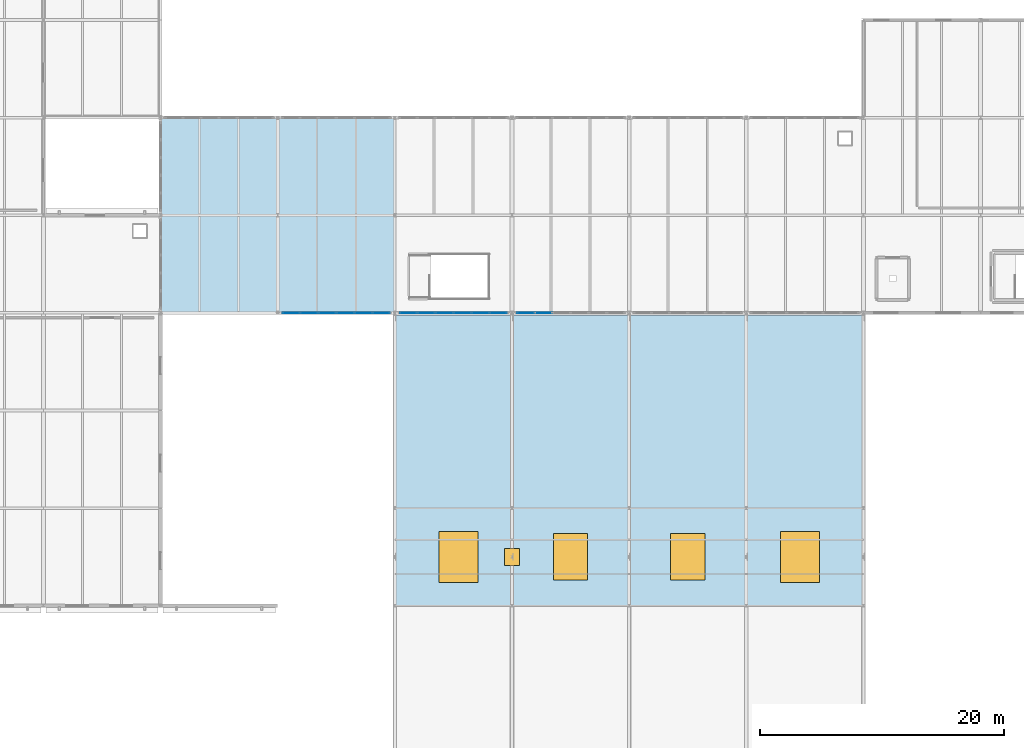
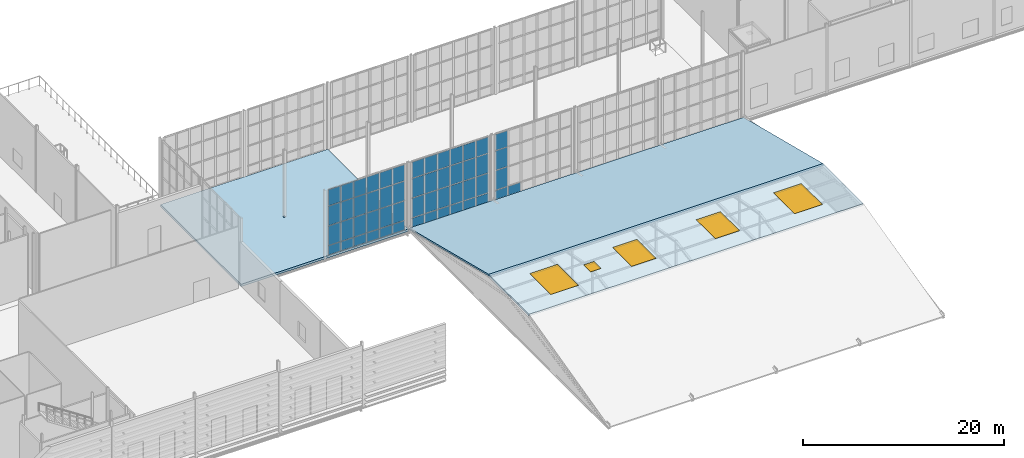
# One storey, part 51 of 73: 53 plates, 5 windows, 3 slabs, 5 openings, 3 elements without a shape of their own.
"""IFC4 building model written with IfcOpenShell, lengths in metres."""

from ifc_helpers import new_model, si_unit, direction, frame, origin, origin_2d, place, context, subcontext, project, spatial, polyline, rectangle, outline, extrude, material, layer, layer_set, type_object, element, fill, aggregate, save


model = new_model("IFC4")

# Units and contexts
model_context = context("Model", 3, precision=1e-05, world=origin(), true_north=direction((0.0, 1.0)))
body_context = subcontext(model_context, "Body", "Model", "MODEL_VIEW")
ifc_project = project(units=[si_unit("LENGTHUNIT", "METRE"), si_unit("AREAUNIT", "SQUARE_METRE"), si_unit("VOLUMEUNIT", "CUBIC_METRE"), si_unit("PLANEANGLEUNIT", "RADIAN"), si_unit("MASSUNIT", "GRAM", prefix="KILO")], contexts=[model_context])

# Site, building, storey
site_placement = place(None, origin())
site = spatial("IfcSite", under=ifc_project, at=site_placement, CompositionType="ELEMENT")
building_placement = place(site_placement, origin())
building = spatial("IfcBuilding", under=site, at=building_placement, Name="Alderhovde Museum", CompositionType="ELEMENT")
storey_placement = place(building_placement, frame((0.0, 0.0, 17.39990234375)))
storey = spatial("IfcBuildingStorey", under=building, at=storey_placement, Name="L04", CompositionType="ELEMENT", Elevation=17.39990234375)

# Curtain wall, plates
ifc_material_1 = material(Name="Triple-Glazed Bronze-Anodised Curtain Wall", Category="glass")
ifc_layer_1 = layer(ifc_material_1, 0.219970703125)
ifc_layer_set_1 = layer_set([ifc_layer_1], Name="Triple-Glazed Bronze-Anodised Curtain Wall")
curtain_wall_type_1 = type_object("IfcCurtainWallType", Name="CW-STIC-890x805", PredefinedType="USERDEFINED", material=ifc_layer_set_1)
curtain_wall_1_placement = place(storey_placement, origin())
curtain_wall_1 = element("IfcCurtainWall", 1, at=curtain_wall_1_placement, inside=storey, type_object=curtain_wall_type_1, Name="L04 Stick Curtain Wall 80", ObjectType="STICK CURTAIN WALL", PredefinedType="USERDEFINED")
ifc_material_2 = material(Name="Triple-Glazed Low-E Laminated Glass", Category="glass")
ifc_layer_2 = layer(ifc_material_2, 0.028076171875)
ifc_layer_set_2 = layer_set([ifc_layer_2], Name="Triple-Glazed Low-E Laminated Glass")
plate_type_1 = type_object("IfcPlateType", Name="CWP-GLAZ-28", PredefinedType="CURTAIN_PANEL", material=ifc_layer_set_2)
plate_1_placement = place(storey_placement, frame((68.310302734375, 72.0, 0.0751953125), z_axis=(0.0, 0.0, 1.0), x_axis=(1.0, 0.0, 0.0)))
plate_1 = element("IfcPlate", 2, at=plate_1_placement, type_object=plate_type_1, Name="CW22 panel 1.1", PredefinedType="CURTAIN_PANEL", context=body_context, shape_type="SweptSolid", body=[
    extrude(rectangle(XDim=1.370849609375, YDim=0.028076171875, at=origin_2d()), origin(), (0.0, 0.0, 1.0), 1.08740234375),
])
plate_2_placement = place(storey_placement, frame((68.310302734375, 72.0, 1.23779296875), z_axis=(0.0, 0.0, 1.0), x_axis=(1.0, 0.0, 0.0)))
plate_2 = element("IfcPlate", 3, at=plate_2_placement, type_object=plate_type_1, Name="CW22 panel 1.2", PredefinedType="CURTAIN_PANEL", context=body_context, shape_type="SweptSolid", body=[
    extrude(rectangle(XDim=1.370849609375, YDim=0.028076171875, at=origin_2d()), origin(), (0.0, 0.0, 1.0), 2.324951171875),
])
plate_3_placement = place(storey_placement, frame((68.310302734375, 72.0, 3.6376953125), z_axis=(0.0, 0.0, 1.0), x_axis=(1.0, 0.0, 0.0)))
plate_3 = element("IfcPlate", 4, at=plate_3_placement, type_object=plate_type_1, Name="CW22 panel 1.3", PredefinedType="CURTAIN_PANEL", context=body_context, shape_type="SweptSolid", body=[
    extrude(rectangle(XDim=1.370849609375, YDim=0.028076171875, at=origin_2d()), origin(), (0.0, 0.0, 1.0), 2.324951171875),
])
plate_4_placement = place(storey_placement, frame((68.310302734375, 72.0, 6.03759765625), z_axis=(0.0, 0.0, 1.0), x_axis=(1.0, 0.0, 0.0)))
plate_4 = element("IfcPlate", 5, at=plate_4_placement, type_object=plate_type_1, Name="CW22 panel 1.4", PredefinedType="CURTAIN_PANEL", context=body_context, shape_type="SweptSolid", body=[
    extrude(rectangle(XDim=1.370849609375, YDim=0.028076171875, at=origin_2d()), origin(), (0.0, 0.0, 1.0), 1.9375),
])
plate_5_placement = place(storey_placement, frame((69.77490234375, 72.0, 0.0751953125), z_axis=(0.0, 0.0, 1.0), x_axis=(1.0, 0.0, 0.0)))
plate_5 = element("IfcPlate", 6, at=plate_5_placement, type_object=plate_type_1, Name="CW22 panel 2.1", PredefinedType="CURTAIN_PANEL", context=body_context, shape_type="SweptSolid", body=[
    extrude(rectangle(XDim=1.408447265625, YDim=0.028076171875, at=origin_2d()), origin(), (0.0, 0.0, 1.0), 1.08740234375),
])
plate_6_placement = place(storey_placement, frame((69.77490234375, 72.0, 1.23779296875), z_axis=(0.0, 0.0, 1.0), x_axis=(1.0, 0.0, 0.0)))
plate_6 = element("IfcPlate", 7, at=plate_6_placement, type_object=plate_type_1, Name="CW22 panel 2.2", PredefinedType="CURTAIN_PANEL", context=body_context, shape_type="SweptSolid", body=[
    extrude(rectangle(XDim=1.408447265625, YDim=0.028076171875, at=origin_2d()), origin(), (0.0, 0.0, 1.0), 2.324951171875),
])
plate_7_placement = place(storey_placement, frame((69.77490234375, 72.0, 3.6376953125), z_axis=(0.0, 0.0, 1.0), x_axis=(1.0, 0.0, 0.0)))
plate_7 = element("IfcPlate", 8, at=plate_7_placement, type_object=plate_type_1, Name="CW22 panel 2.3", PredefinedType="CURTAIN_PANEL", context=body_context, shape_type="SweptSolid", body=[
    extrude(rectangle(XDim=1.408447265625, YDim=0.028076171875, at=origin_2d()), origin(), (0.0, 0.0, 1.0), 2.324951171875),
])
plate_8_placement = place(storey_placement, frame((69.77490234375, 72.0, 6.03759765625), z_axis=(0.0, 0.0, 1.0), x_axis=(1.0, 0.0, 0.0)))
plate_8 = element("IfcPlate", 9, at=plate_8_placement, type_object=plate_type_1, Name="CW22 panel 2.4", PredefinedType="CURTAIN_PANEL", context=body_context, shape_type="SweptSolid", body=[
    extrude(rectangle(XDim=1.408447265625, YDim=0.028076171875, at=origin_2d()), origin(), (0.0, 0.0, 1.0), 1.9375),
])
plate_9_placement = place(storey_placement, frame((71.25830078125, 72.0, 0.0751953125), z_axis=(0.0, 0.0, 1.0), x_axis=(1.0, 0.0, 0.0)))
plate_9 = element("IfcPlate", 10, at=plate_9_placement, type_object=plate_type_1, Name="CW22 panel 3.1", PredefinedType="CURTAIN_PANEL", context=body_context, shape_type="SweptSolid", body=[
    extrude(rectangle(XDim=1.408447265625, YDim=0.028076171875, at=origin_2d()), origin(), (0.0, 0.0, 1.0), 1.08740234375),
])
plate_10_placement = place(storey_placement, frame((71.25830078125, 72.0, 1.23779296875), z_axis=(0.0, 0.0, 1.0), x_axis=(1.0, 0.0, 0.0)))
plate_10 = element("IfcPlate", 11, at=plate_10_placement, type_object=plate_type_1, Name="CW22 panel 3.2", PredefinedType="CURTAIN_PANEL", context=body_context, shape_type="SweptSolid", body=[
    extrude(rectangle(XDim=1.408447265625, YDim=0.028076171875, at=origin_2d()), origin(), (0.0, 0.0, 1.0), 2.324951171875),
])
plate_11_placement = place(storey_placement, frame((71.25830078125, 72.0, 3.6376953125), z_axis=(0.0, 0.0, 1.0), x_axis=(1.0, 0.0, 0.0)))
plate_11 = element("IfcPlate", 12, at=plate_11_placement, type_object=plate_type_1, Name="CW22 panel 3.3", PredefinedType="CURTAIN_PANEL", context=body_context, shape_type="SweptSolid", body=[
    extrude(rectangle(XDim=1.408447265625, YDim=0.028076171875, at=origin_2d()), origin(), (0.0, 0.0, 1.0), 2.324951171875),
])
plate_12_placement = place(storey_placement, frame((71.25830078125, 72.0, 6.03759765625), z_axis=(0.0, 0.0, 1.0), x_axis=(1.0, 0.0, 0.0)))
plate_12 = element("IfcPlate", 13, at=plate_12_placement, type_object=plate_type_1, Name="CW22 panel 3.4", PredefinedType="CURTAIN_PANEL", context=body_context, shape_type="SweptSolid", body=[
    extrude(rectangle(XDim=1.408447265625, YDim=0.028076171875, at=origin_2d()), origin(), (0.0, 0.0, 1.0), 1.9375),
])
plate_13_placement = place(storey_placement, frame((72.74169921875, 72.0, 0.0751953125), z_axis=(0.0, 0.0, 1.0), x_axis=(1.0, 0.0, 0.0)))
plate_13 = element("IfcPlate", 14, at=plate_13_placement, type_object=plate_type_1, Name="CW22 panel 4.1", PredefinedType="CURTAIN_PANEL", context=body_context, shape_type="SweptSolid", body=[
    extrude(rectangle(XDim=1.408447265625, YDim=0.028076171875, at=origin_2d()), origin(), (0.0, 0.0, 1.0), 1.08740234375),
])
plate_14_placement = place(storey_placement, frame((72.74169921875, 72.0, 1.23779296875), z_axis=(0.0, 0.0, 1.0), x_axis=(1.0, 0.0, 0.0)))
plate_14 = element("IfcPlate", 15, at=plate_14_placement, type_object=plate_type_1, Name="CW22 panel 4.2", PredefinedType="CURTAIN_PANEL", context=body_context, shape_type="SweptSolid", body=[
    extrude(rectangle(XDim=1.408447265625, YDim=0.028076171875, at=origin_2d()), origin(), (0.0, 0.0, 1.0), 2.324951171875),
])
plate_15_placement = place(storey_placement, frame((72.74169921875, 72.0, 3.6376953125), z_axis=(0.0, 0.0, 1.0), x_axis=(1.0, 0.0, 0.0)))
plate_15 = element("IfcPlate", 16, at=plate_15_placement, type_object=plate_type_1, Name="CW22 panel 4.3", PredefinedType="CURTAIN_PANEL", context=body_context, shape_type="SweptSolid", body=[
    extrude(rectangle(XDim=1.408447265625, YDim=0.028076171875, at=origin_2d()), origin(), (0.0, 0.0, 1.0), 2.324951171875),
])
plate_16_placement = place(storey_placement, frame((72.74169921875, 72.0, 6.03759765625), z_axis=(0.0, 0.0, 1.0), x_axis=(1.0, 0.0, 0.0)))
plate_16 = element("IfcPlate", 17, at=plate_16_placement, type_object=plate_type_1, Name="CW22 panel 4.4", PredefinedType="CURTAIN_PANEL", context=body_context, shape_type="SweptSolid", body=[
    extrude(rectangle(XDim=1.408447265625, YDim=0.028076171875, at=origin_2d()), origin(), (0.0, 0.0, 1.0), 1.9375),
])
plate_17_placement = place(storey_placement, frame((74.22509765625, 72.0, 0.0751953125), z_axis=(0.0, 0.0, 1.0), x_axis=(1.0, 0.0, 0.0)))
plate_17 = element("IfcPlate", 18, at=plate_17_placement, type_object=plate_type_1, Name="CW22 panel 5.1", PredefinedType="CURTAIN_PANEL", context=body_context, shape_type="SweptSolid", body=[
    extrude(rectangle(XDim=1.408447265625, YDim=0.028076171875, at=origin_2d()), origin(), (0.0, 0.0, 1.0), 1.08740234375),
])
plate_18_placement = place(storey_placement, frame((74.22509765625, 72.0, 1.23779296875), z_axis=(0.0, 0.0, 1.0), x_axis=(1.0, 0.0, 0.0)))
plate_18 = element("IfcPlate", 19, at=plate_18_placement, type_object=plate_type_1, Name="CW22 panel 5.2", PredefinedType="CURTAIN_PANEL", context=body_context, shape_type="SweptSolid", body=[
    extrude(rectangle(XDim=1.408447265625, YDim=0.028076171875, at=origin_2d()), origin(), (0.0, 0.0, 1.0), 2.324951171875),
])
plate_19_placement = place(storey_placement, frame((74.22509765625, 72.0, 3.6376953125), z_axis=(0.0, 0.0, 1.0), x_axis=(1.0, 0.0, 0.0)))
plate_19 = element("IfcPlate", 20, at=plate_19_placement, type_object=plate_type_1, Name="CW22 panel 5.3", PredefinedType="CURTAIN_PANEL", context=body_context, shape_type="SweptSolid", body=[
    extrude(rectangle(XDim=1.408447265625, YDim=0.028076171875, at=origin_2d()), origin(), (0.0, 0.0, 1.0), 2.324951171875),
])
plate_20_placement = place(storey_placement, frame((74.22509765625, 72.0, 6.03759765625), z_axis=(0.0, 0.0, 1.0), x_axis=(1.0, 0.0, 0.0)))
plate_20 = element("IfcPlate", 21, at=plate_20_placement, type_object=plate_type_1, Name="CW22 panel 5.4", PredefinedType="CURTAIN_PANEL", context=body_context, shape_type="SweptSolid", body=[
    extrude(rectangle(XDim=1.408447265625, YDim=0.028076171875, at=origin_2d()), origin(), (0.0, 0.0, 1.0), 1.9375),
])
plate_21_placement = place(storey_placement, frame((75.689697265625, 72.0, 0.0751953125), z_axis=(0.0, 0.0, 1.0), x_axis=(1.0, 0.0, 0.0)))
plate_21 = element("IfcPlate", 22, at=plate_21_placement, type_object=plate_type_1, Name="CW22 panel 6.1", PredefinedType="CURTAIN_PANEL", context=body_context, shape_type="SweptSolid", body=[
    extrude(rectangle(XDim=1.370849609375, YDim=0.028076171875, at=origin_2d()), origin(), (0.0, 0.0, 1.0), 1.08740234375),
])
plate_22_placement = place(storey_placement, frame((75.689697265625, 72.0, 1.23779296875), z_axis=(0.0, 0.0, 1.0), x_axis=(1.0, 0.0, 0.0)))
plate_22 = element("IfcPlate", 23, at=plate_22_placement, type_object=plate_type_1, Name="CW22 panel 6.2", PredefinedType="CURTAIN_PANEL", context=body_context, shape_type="SweptSolid", body=[
    extrude(rectangle(XDim=1.370849609375, YDim=0.028076171875, at=origin_2d()), origin(), (0.0, 0.0, 1.0), 2.324951171875),
])
plate_23_placement = place(storey_placement, frame((75.689697265625, 72.0, 3.6376953125), z_axis=(0.0, 0.0, 1.0), x_axis=(1.0, 0.0, 0.0)))
plate_23 = element("IfcPlate", 24, at=plate_23_placement, type_object=plate_type_1, Name="CW22 panel 6.3", PredefinedType="CURTAIN_PANEL", context=body_context, shape_type="SweptSolid", body=[
    extrude(rectangle(XDim=1.370849609375, YDim=0.028076171875, at=origin_2d()), origin(), (0.0, 0.0, 1.0), 2.324951171875),
])
plate_24_placement = place(storey_placement, frame((75.689697265625, 72.0, 6.03759765625), z_axis=(0.0, 0.0, 1.0), x_axis=(1.0, 0.0, 0.0)))
plate_24 = element("IfcPlate", 25, at=plate_24_placement, type_object=plate_type_1, Name="CW22 panel 6.4", PredefinedType="CURTAIN_PANEL", context=body_context, shape_type="SweptSolid", body=[
    extrude(rectangle(XDim=1.370849609375, YDim=0.028076171875, at=origin_2d()), origin(), (0.0, 0.0, 1.0), 1.9375),
])
aggregate(curtain_wall_1, [plate_1, plate_2, plate_3, plate_4, plate_5, plate_6, plate_7, plate_8, plate_9, plate_10, plate_11, plate_12, plate_13, plate_14, plate_15, plate_16, plate_17, plate_18, plate_19, plate_20, plate_21, plate_22, plate_23, plate_24])

ifc_material_3 = material(Name="Triple-Glazed Bronze-Anodised Curtain Wall", Category="glass")
ifc_layer_3 = layer(ifc_material_3, 0.219970703125)
ifc_layer_set_3 = layer_set([ifc_layer_3], Name="Triple-Glazed Bronze-Anodised Curtain Wall")
curtain_wall_type_2 = type_object("IfcCurtainWallType", Name="CW-UNIT-890x805", PredefinedType="USERDEFINED", material=ifc_layer_set_3)
curtain_wall_2_placement = place(storey_placement, origin())
curtain_wall_2 = element("IfcCurtainWall", 26, at=curtain_wall_2_placement, inside=storey, type_object=curtain_wall_type_2, Name="L04 Unitised Curtain Wall 84", ObjectType="UNITISED CURTAIN WALL", PredefinedType="USERDEFINED")
plate_25_placement = place(storey_placement, frame((87.510498046875, 72.0, 0.0751953125), z_axis=(0.0, 0.0, 1.0), x_axis=(1.0, 0.0, 0.0)))
plate_25 = element("IfcPlate", 27, at=plate_25_placement, type_object=plate_type_1, Name="CW21 panel 1.1", PredefinedType="CURTAIN_PANEL", context=body_context, shape_type="SweptSolid", body=[
    extrude(rectangle(XDim=1.370849609375, YDim=0.028076171875, at=origin_2d()), origin(), (0.0, 0.0, 1.0), 1.08740234375),
])
plate_26_placement = place(storey_placement, frame((87.510498046875, 72.0, 1.23779296875), z_axis=(0.0, 0.0, 1.0), x_axis=(1.0, 0.0, 0.0)))
plate_26 = element("IfcPlate", 28, at=plate_26_placement, type_object=plate_type_1, Name="CW21 panel 1.2", PredefinedType="CURTAIN_PANEL", context=body_context, shape_type="SweptSolid", body=[
    extrude(rectangle(XDim=1.370849609375, YDim=0.028076171875, at=origin_2d()), origin(), (0.0, 0.0, 1.0), 2.324951171875),
])
plate_27_placement = place(storey_placement, frame((87.510498046875, 72.0, 3.6376953125), z_axis=(0.0, 0.0, 1.0), x_axis=(1.0, 0.0, 0.0)))
plate_27 = element("IfcPlate", 29, at=plate_27_placement, type_object=plate_type_1, Name="CW21 panel 1.3", PredefinedType="CURTAIN_PANEL", context=body_context, shape_type="SweptSolid", body=[
    extrude(rectangle(XDim=1.370849609375, YDim=0.028076171875, at=origin_2d()), origin(), (0.0, 0.0, 1.0), 2.324951171875),
])
plate_28_placement = place(storey_placement, frame((87.510498046875, 72.0, 6.03759765625), z_axis=(0.0, 0.0, 1.0), x_axis=(1.0, 0.0, 0.0)))
plate_28 = element("IfcPlate", 30, at=plate_28_placement, type_object=plate_type_1, Name="CW21 panel 1.4", PredefinedType="CURTAIN_PANEL", context=body_context, shape_type="SweptSolid", body=[
    extrude(rectangle(XDim=1.370849609375, YDim=0.028076171875, at=origin_2d()), origin(), (0.0, 0.0, 1.0), 1.9375),
])
plate_29_placement = place(storey_placement, frame((88.97509765625, 72.0, 0.0751953125), z_axis=(0.0, 0.0, 1.0), x_axis=(1.0, 0.0, 0.0)))
plate_29 = element("IfcPlate", 31, at=plate_29_placement, type_object=plate_type_1, Name="CW21 panel 2.1", PredefinedType="CURTAIN_PANEL", context=body_context, shape_type="SweptSolid", body=[
    extrude(rectangle(XDim=1.408447265625, YDim=0.028076171875, at=origin_2d()), origin(), (0.0, 0.0, 1.0), 1.08740234375),
])
aggregate(curtain_wall_2, [plate_25, plate_26, plate_27, plate_28, plate_29])

curtain_wall_3_placement = place(storey_placement, origin())
curtain_wall_3 = element("IfcCurtainWall", 32, at=curtain_wall_3_placement, inside=storey, type_object=curtain_wall_type_2, Name="L04 Unitised Curtain Wall 82", ObjectType="UNITISED CURTAIN WALL", PredefinedType="USERDEFINED")
ifc_material_4 = material(Name="Triple-Glazed Low-E Laminated Glass", Category="glass")
ifc_layer_4 = layer(ifc_material_4, 0.0439453125)
ifc_layer_set_4 = layer_set([ifc_layer_4], Name="Triple-Glazed Low-E Laminated Glass")
plate_type_2 = type_object("IfcPlateType", Name="CWP-GLAZ-44", PredefinedType="CURTAIN_PANEL", material=ifc_layer_set_4)
plate_30_placement = place(storey_placement, frame((77.910400390625, 72.0, 0.0751953125), z_axis=(0.0, 0.0, 1.0), x_axis=(1.0, 0.0, 0.0)))
plate_30 = element("IfcPlate", 33, at=plate_30_placement, type_object=plate_type_2, Name="CW21 panel 1.1", PredefinedType="CURTAIN_PANEL", context=body_context, shape_type="SweptSolid", body=[
    extrude(rectangle(XDim=1.370849609375, YDim=0.0439453125, at=origin_2d()), origin(), (0.0, 0.0, 1.0), 1.08740234375),
])
plate_31_placement = place(storey_placement, frame((77.910400390625, 72.0, 1.23779296875), z_axis=(0.0, 0.0, 1.0), x_axis=(1.0, 0.0, 0.0)))
plate_31 = element("IfcPlate", 34, at=plate_31_placement, type_object=plate_type_2, Name="CW21 panel 1.2", PredefinedType="CURTAIN_PANEL", context=body_context, shape_type="SweptSolid", body=[
    extrude(rectangle(XDim=1.370849609375, YDim=0.0439453125, at=origin_2d()), origin(), (0.0, 0.0, 1.0), 2.324951171875),
])
plate_32_placement = place(storey_placement, frame((77.910400390625, 72.0, 3.6376953125), z_axis=(0.0, 0.0, 1.0), x_axis=(1.0, 0.0, 0.0)))
plate_32 = element("IfcPlate", 35, at=plate_32_placement, type_object=plate_type_2, Name="CW21 panel 1.3", PredefinedType="CURTAIN_PANEL", context=body_context, shape_type="SweptSolid", body=[
    extrude(rectangle(XDim=1.370849609375, YDim=0.0439453125, at=origin_2d()), origin(), (0.0, 0.0, 1.0), 2.324951171875),
])
plate_33_placement = place(storey_placement, frame((77.910400390625, 72.0, 6.03759765625), z_axis=(0.0, 0.0, 1.0), x_axis=(1.0, 0.0, 0.0)))
plate_33 = element("IfcPlate", 36, at=plate_33_placement, type_object=plate_type_2, Name="CW21 panel 1.4", PredefinedType="CURTAIN_PANEL", context=body_context, shape_type="SweptSolid", body=[
    extrude(rectangle(XDim=1.370849609375, YDim=0.0439453125, at=origin_2d()), origin(), (0.0, 0.0, 1.0), 1.9375),
])
plate_34_placement = place(storey_placement, frame((79.375, 72.0, 0.0751953125), z_axis=(0.0, 0.0, 1.0), x_axis=(1.0, 0.0, 0.0)))
plate_34 = element("IfcPlate", 37, at=plate_34_placement, type_object=plate_type_2, Name="CW21 panel 2.1", PredefinedType="CURTAIN_PANEL", context=body_context, shape_type="SweptSolid", body=[
    extrude(rectangle(XDim=1.408447265625, YDim=0.0439453125, at=origin_2d()), origin(), (0.0, 0.0, 1.0), 1.08740234375),
])
plate_35_placement = place(storey_placement, frame((79.375, 72.0, 1.23779296875), z_axis=(0.0, 0.0, 1.0), x_axis=(1.0, 0.0, 0.0)))
plate_35 = element("IfcPlate", 38, at=plate_35_placement, type_object=plate_type_2, Name="CW21 panel 2.2", PredefinedType="CURTAIN_PANEL", context=body_context, shape_type="SweptSolid", body=[
    extrude(rectangle(XDim=1.408447265625, YDim=0.0439453125, at=origin_2d()), origin(), (0.0, 0.0, 1.0), 2.324951171875),
])
plate_36_placement = place(storey_placement, frame((79.375, 72.0, 3.6376953125), z_axis=(0.0, 0.0, 1.0), x_axis=(1.0, 0.0, 0.0)))
plate_36 = element("IfcPlate", 39, at=plate_36_placement, type_object=plate_type_2, Name="CW21 panel 2.3", PredefinedType="CURTAIN_PANEL", context=body_context, shape_type="SweptSolid", body=[
    extrude(rectangle(XDim=1.408447265625, YDim=0.0439453125, at=origin_2d()), origin(), (0.0, 0.0, 1.0), 2.324951171875),
])
plate_37_placement = place(storey_placement, frame((79.375, 72.0, 6.03759765625), z_axis=(0.0, 0.0, 1.0), x_axis=(1.0, 0.0, 0.0)))
plate_37 = element("IfcPlate", 40, at=plate_37_placement, type_object=plate_type_2, Name="CW21 panel 2.4", PredefinedType="CURTAIN_PANEL", context=body_context, shape_type="SweptSolid", body=[
    extrude(rectangle(XDim=1.408447265625, YDim=0.0439453125, at=origin_2d()), origin(), (0.0, 0.0, 1.0), 1.9375),
])
plate_38_placement = place(storey_placement, frame((80.8583984375, 72.0, 0.0751953125), z_axis=(0.0, 0.0, 1.0), x_axis=(1.0, 0.0, 0.0)))
plate_38 = element("IfcPlate", 41, at=plate_38_placement, type_object=plate_type_2, Name="CW21 panel 3.1", PredefinedType="CURTAIN_PANEL", context=body_context, shape_type="SweptSolid", body=[
    extrude(rectangle(XDim=1.408447265625, YDim=0.0439453125, at=origin_2d()), origin(), (0.0, 0.0, 1.0), 1.08740234375),
])
plate_39_placement = place(storey_placement, frame((80.8583984375, 72.0, 1.23779296875), z_axis=(0.0, 0.0, 1.0), x_axis=(1.0, 0.0, 0.0)))
plate_39 = element("IfcPlate", 42, at=plate_39_placement, type_object=plate_type_2, Name="CW21 panel 3.2", PredefinedType="CURTAIN_PANEL", context=body_context, shape_type="SweptSolid", body=[
    extrude(rectangle(XDim=1.408447265625, YDim=0.0439453125, at=origin_2d()), origin(), (0.0, 0.0, 1.0), 2.324951171875),
])
plate_40_placement = place(storey_placement, frame((80.8583984375, 72.0, 3.6376953125), z_axis=(0.0, 0.0, 1.0), x_axis=(1.0, 0.0, 0.0)))
plate_40 = element("IfcPlate", 43, at=plate_40_placement, type_object=plate_type_2, Name="CW21 panel 3.3", PredefinedType="CURTAIN_PANEL", context=body_context, shape_type="SweptSolid", body=[
    extrude(rectangle(XDim=1.408447265625, YDim=0.0439453125, at=origin_2d()), origin(), (0.0, 0.0, 1.0), 2.324951171875),
])
plate_41_placement = place(storey_placement, frame((80.8583984375, 72.0, 6.03759765625), z_axis=(0.0, 0.0, 1.0), x_axis=(1.0, 0.0, 0.0)))
plate_41 = element("IfcPlate", 44, at=plate_41_placement, type_object=plate_type_2, Name="CW21 panel 3.4", PredefinedType="CURTAIN_PANEL", context=body_context, shape_type="SweptSolid", body=[
    extrude(rectangle(XDim=1.408447265625, YDim=0.0439453125, at=origin_2d()), origin(), (0.0, 0.0, 1.0), 1.9375),
])
plate_42_placement = place(storey_placement, frame((82.341552734375, 72.0, 0.0751953125), z_axis=(0.0, 0.0, 1.0), x_axis=(1.0, 0.0, 0.0)))
plate_42 = element("IfcPlate", 45, at=plate_42_placement, type_object=plate_type_2, Name="CW21 panel 4.1", PredefinedType="CURTAIN_PANEL", context=body_context, shape_type="SweptSolid", body=[
    extrude(rectangle(XDim=1.408447265625, YDim=0.0439453125, at=origin_2d()), origin(), (0.0, 0.0, 1.0), 1.08740234375),
])
plate_43_placement = place(storey_placement, frame((82.341552734375, 72.0, 1.23779296875), z_axis=(0.0, 0.0, 1.0), x_axis=(1.0, 0.0, 0.0)))
plate_43 = element("IfcPlate", 46, at=plate_43_placement, type_object=plate_type_2, Name="CW21 panel 4.2", PredefinedType="CURTAIN_PANEL", context=body_context, shape_type="SweptSolid", body=[
    extrude(rectangle(XDim=1.408447265625, YDim=0.0439453125, at=origin_2d()), origin(), (0.0, 0.0, 1.0), 2.324951171875),
])
plate_44_placement = place(storey_placement, frame((82.341552734375, 72.0, 3.6376953125), z_axis=(0.0, 0.0, 1.0), x_axis=(1.0, 0.0, 0.0)))
plate_44 = element("IfcPlate", 47, at=plate_44_placement, type_object=plate_type_2, Name="CW21 panel 4.3", PredefinedType="CURTAIN_PANEL", context=body_context, shape_type="SweptSolid", body=[
    extrude(rectangle(XDim=1.408447265625, YDim=0.0439453125, at=origin_2d()), origin(), (0.0, 0.0, 1.0), 2.324951171875),
])
plate_45_placement = place(storey_placement, frame((82.341552734375, 72.0, 6.03759765625), z_axis=(0.0, 0.0, 1.0), x_axis=(1.0, 0.0, 0.0)))
plate_45 = element("IfcPlate", 48, at=plate_45_placement, type_object=plate_type_2, Name="CW21 panel 4.4", PredefinedType="CURTAIN_PANEL", context=body_context, shape_type="SweptSolid", body=[
    extrude(rectangle(XDim=1.408447265625, YDim=0.0439453125, at=origin_2d()), origin(), (0.0, 0.0, 1.0), 1.9375),
])
plate_46_placement = place(storey_placement, frame((83.824951171875, 72.0, 0.0751953125), z_axis=(0.0, 0.0, 1.0), x_axis=(1.0, 0.0, 0.0)))
plate_46 = element("IfcPlate", 49, at=plate_46_placement, type_object=plate_type_2, Name="CW21 panel 5.1", PredefinedType="CURTAIN_PANEL", context=body_context, shape_type="SweptSolid", body=[
    extrude(rectangle(XDim=1.408447265625, YDim=0.0439453125, at=origin_2d()), origin(), (0.0, 0.0, 1.0), 1.08740234375),
])
plate_47_placement = place(storey_placement, frame((83.824951171875, 72.0, 1.23779296875), z_axis=(0.0, 0.0, 1.0), x_axis=(1.0, 0.0, 0.0)))
plate_47 = element("IfcPlate", 50, at=plate_47_placement, type_object=plate_type_2, Name="CW21 panel 5.2", PredefinedType="CURTAIN_PANEL", context=body_context, shape_type="SweptSolid", body=[
    extrude(rectangle(XDim=1.408447265625, YDim=0.0439453125, at=origin_2d()), origin(), (0.0, 0.0, 1.0), 2.324951171875),
])
plate_48_placement = place(storey_placement, frame((83.824951171875, 72.0, 3.6376953125), z_axis=(0.0, 0.0, 1.0), x_axis=(1.0, 0.0, 0.0)))
plate_48 = element("IfcPlate", 51, at=plate_48_placement, type_object=plate_type_2, Name="CW21 panel 5.3", PredefinedType="CURTAIN_PANEL", context=body_context, shape_type="SweptSolid", body=[
    extrude(rectangle(XDim=1.408447265625, YDim=0.0439453125, at=origin_2d()), origin(), (0.0, 0.0, 1.0), 2.324951171875),
])
plate_49_placement = place(storey_placement, frame((83.824951171875, 72.0, 6.03759765625), z_axis=(0.0, 0.0, 1.0), x_axis=(1.0, 0.0, 0.0)))
plate_49 = element("IfcPlate", 52, at=plate_49_placement, type_object=plate_type_2, Name="CW21 panel 5.4", PredefinedType="CURTAIN_PANEL", context=body_context, shape_type="SweptSolid", body=[
    extrude(rectangle(XDim=1.408447265625, YDim=0.0439453125, at=origin_2d()), origin(), (0.0, 0.0, 1.0), 1.9375),
])
plate_50_placement = place(storey_placement, frame((85.28955078125, 72.0, 0.0751953125), z_axis=(0.0, 0.0, 1.0), x_axis=(1.0, 0.0, 0.0)))
plate_50 = element("IfcPlate", 53, at=plate_50_placement, type_object=plate_type_2, Name="CW21 panel 6.1", PredefinedType="CURTAIN_PANEL", context=body_context, shape_type="SweptSolid", body=[
    extrude(rectangle(XDim=1.370849609375, YDim=0.0439453125, at=origin_2d()), origin(), (0.0, 0.0, 1.0), 1.08740234375),
])
plate_51_placement = place(storey_placement, frame((85.28955078125, 72.0, 1.23779296875), z_axis=(0.0, 0.0, 1.0), x_axis=(1.0, 0.0, 0.0)))
plate_51 = element("IfcPlate", 54, at=plate_51_placement, type_object=plate_type_2, Name="CW21 panel 6.2", PredefinedType="CURTAIN_PANEL", context=body_context, shape_type="SweptSolid", body=[
    extrude(rectangle(XDim=1.370849609375, YDim=0.0439453125, at=origin_2d()), origin(), (0.0, 0.0, 1.0), 2.324951171875),
])
plate_52_placement = place(storey_placement, frame((85.28955078125, 72.0, 3.6376953125), z_axis=(0.0, 0.0, 1.0), x_axis=(1.0, 0.0, 0.0)))
plate_52 = element("IfcPlate", 55, at=plate_52_placement, type_object=plate_type_2, Name="CW21 panel 6.3", PredefinedType="CURTAIN_PANEL", context=body_context, shape_type="SweptSolid", body=[
    extrude(rectangle(XDim=1.370849609375, YDim=0.0439453125, at=origin_2d()), origin(), (0.0, 0.0, 1.0), 2.324951171875),
])
plate_53_placement = place(storey_placement, frame((85.28955078125, 72.0, 6.03759765625), z_axis=(0.0, 0.0, 1.0), x_axis=(1.0, 0.0, 0.0)))
plate_53 = element("IfcPlate", 56, at=plate_53_placement, type_object=plate_type_2, Name="CW21 panel 6.4", PredefinedType="CURTAIN_PANEL", context=body_context, shape_type="SweptSolid", body=[
    extrude(rectangle(XDim=1.370849609375, YDim=0.0439453125, at=origin_2d()), origin(), (0.0, 0.0, 1.0), 1.9375),
])
aggregate(curtain_wall_3, [plate_30, plate_31, plate_32, plate_33, plate_34, plate_35, plate_36, plate_37, plate_38, plate_39, plate_40, plate_41, plate_42, plate_43, plate_44, plate_45, plate_46, plate_47, plate_48, plate_49, plate_50, plate_51, plate_52, plate_53])

# Slabs
ifc_material_5 = material(Name="Concrete C35/45", Category="concrete")
ifc_layer_5 = layer(ifc_material_5, 0.280029296875)
ifc_layer_set_5 = layer_set([ifc_layer_5], Name="Concrete C35/45")
slab_type_1 = type_object("IfcSlabType", Name="SLB-FLR-280", PredefinedType="FLOOR", material=ifc_layer_set_5)
slab_1_placement = place(storey_placement, frame((0.0, 0.0, -0.27978515625)))
element("IfcSlab", 57, at=slab_1_placement, inside=storey, type_object=slab_type_1, Name="L04 VOL2 Structural Slab", PredefinedType="FLOOR", context=body_context, shape_type="SweptSolid", body=[
    extrude(outline(polyline([(57.60009765625, 72.0), (76.800048828125, 72.0), (76.800048828125, 88.0), (57.60009765625, 88.0), (57.60009765625, 72.0)]), holes=[polyline([(67.090087890625, 79.889892578125), (67.31005859375, 79.889892578125), (67.31005859375, 80.110107421875), (67.090087890625, 80.110107421875), (67.090087890625, 79.889892578125)])]), origin(), (0.0, 0.0, 1.0), 0.27978515625),
])
ifc_material_6 = material(Name="Concrete C35/45", Category="concrete")
ifc_layer_6 = layer(ifc_material_6, 0.199951171875)
ifc_layer_set_6 = layer_set([ifc_layer_6], Name="Concrete C35/45")
slab_type_2 = type_object("IfcSlabType", Name="SLB-ROOF-200", PredefinedType="ROOF", material=ifc_layer_set_6)
slab_2_placement = place(storey_placement, frame((76.800048828125, 56.0, 4.2001953125), z_axis=(0.0, 0.243124530712, 0.969995083785), x_axis=(1.0, 0.0, 0.0)))
element("IfcSlab", 58, at=slab_2_placement, inside=storey, type_object=slab_type_2, Name="Conservatory Atrium North Pitched Roof", PredefinedType="ROOF", context=body_context, shape_type="SweptSolid", body=[
    extrude(outline(polyline([(0.0, 0.0), (38.39990234375, 0.0), (38.39990234375, 16.28879268797848), (0.0, 16.28879268797848), (0.0, 0.0)])), origin(), (0.0, 0.0, -1.0), 0.199951171875),
])

# Slab, openings, windows
ifc_material_7 = material(Name="Concrete C35/45", Category="concrete")
ifc_layer_7 = layer(ifc_material_7, 0.239990234375)
ifc_layer_set_7 = layer_set([ifc_layer_7], Name="Concrete C35/45")
slab_type_3 = type_object("IfcSlabType", Name="SLB-ROOF-240", PredefinedType="ROOF", material=ifc_layer_set_7)
slab_3_placement = place(storey_placement, frame((0.0, 0.0, 3.960205078125)))
slab_3 = element("IfcSlab", 59, at=slab_3_placement, inside=storey, type_object=slab_type_3, Name="Conservatory Atrium Ridge Skylight Deck", PredefinedType="ROOF", context=body_context, shape_type="SweptSolid", body=[
    extrude(outline(polyline([(76.800048828125, 48.0), (115.199951171875, 48.0), (115.199951171875, 56.0), (76.800048828125, 56.0), (76.800048828125, 48.0)])), origin(), (0.0, 0.0, 1.0), 0.239990234375),
])
opening_1_placement = place(slab_3_placement, frame((82.0, 52.0, -0.02001953125)))
opening_1 = element("IfcOpeningElement", 60, at=opening_1_placement, cuts=slab_3, Name="Opening RL04", PredefinedType="OPENING", context=body_context, shape_type="SweptSolid", body=[
    extrude(rectangle(XDim=3.199951171875, YDim=4.199951171875, at=origin_2d()), origin(), (0.0, 0.0, 1.0), 0.280029296875),
])
opening_2_placement = place(slab_3_placement, frame((91.199951171875, 52.0, -0.02001953125)))
opening_2 = element("IfcOpeningElement", 61, at=opening_2_placement, cuts=slab_3, Name="Opening RL05", PredefinedType="OPENING", context=body_context, shape_type="SweptSolid", body=[
    extrude(rectangle(XDim=2.800048828125, YDim=3.800048828125, at=origin_2d()), origin(), (0.0, 0.0, 1.0), 0.280029296875),
])
opening_3_placement = place(slab_3_placement, frame((100.800048828125, 52.0, -0.02001953125)))
opening_3 = element("IfcOpeningElement", 62, at=opening_3_placement, cuts=slab_3, Name="Opening RL05", PredefinedType="OPENING", context=body_context, shape_type="SweptSolid", body=[
    extrude(rectangle(XDim=2.800048828125, YDim=3.800048828125, at=origin_2d()), origin(), (0.0, 0.0, 1.0), 0.280029296875),
])
opening_4_placement = place(slab_3_placement, frame((110.0, 52.0, -0.02001953125)))
opening_4 = element("IfcOpeningElement", 63, at=opening_4_placement, cuts=slab_3, Name="Opening RL04", PredefinedType="OPENING", context=body_context, shape_type="SweptSolid", body=[
    extrude(rectangle(XDim=3.199951171875, YDim=4.199951171875, at=origin_2d()), origin(), (0.0, 0.0, 1.0), 0.280029296875),
])
opening_5_placement = place(slab_3_placement, frame((86.39990234375, 52.0, -0.02001953125)))
opening_5 = element("IfcOpeningElement", 64, at=opening_5_placement, cuts=slab_3, Name="Opening RH01", PredefinedType="OPENING", context=body_context, shape_type="SweptSolid", body=[
    extrude(rectangle(XDim=1.199951171875, YDim=1.39990234375, at=origin_2d()), origin(), (0.0, 0.0, 1.0), 0.280029296875),
])
ifc_material_8 = material(Name="Triple-Glazed Low-E Bronze-Anodised Aluminium", Category="aluminium")
window_type_1 = type_object("IfcWindowType", Name="SKY-ATR-2800x3800", PartitioningType="DOUBLE_PANEL_VERTICAL", PredefinedType="SKYLIGHT", material=ifc_material_8)
window_1_placement = place(opening_2_placement, frame((0.0, 0.0, 0.2099609375)))
window_1 = element("IfcWindow", 65, at=window_1_placement, inside=storey, type_object=window_type_1, Name="Conservatory Atrium Rooflight 2", OverallHeight=3.800048828125, OverallWidth=2.800048828125, PartitioningType="SINGLE_PANEL", PredefinedType="SKYLIGHT", context=body_context, shape_type="SweptSolid", body=[
    extrude(rectangle(XDim=2.800048828125, YDim=3.800048828125, at=origin_2d()), origin(), (0.0, 0.0, 1.0), 0.050048828125),
])
fill(opening_2, window_1)
window_2_placement = place(opening_3_placement, frame((0.0, 0.0, 0.2099609375)))
window_2 = element("IfcWindow", 66, at=window_2_placement, inside=storey, type_object=window_type_1, Name="Conservatory Atrium Rooflight 3", OverallHeight=3.800048828125, OverallWidth=2.800048828125, PartitioningType="SINGLE_PANEL", PredefinedType="SKYLIGHT", context=body_context, shape_type="SweptSolid", body=[
    extrude(rectangle(XDim=2.800048828125, YDim=3.800048828125, at=origin_2d()), origin(), (0.0, 0.0, 1.0), 0.050048828125),
])
fill(opening_3, window_2)
ifc_material_9 = material(Name="Triple-Glazed Low-E Bronze-Anodised Aluminium", Category="aluminium")
window_type_2 = type_object("IfcWindowType", Name="SKY-ATR-3200x4200", PartitioningType="DOUBLE_PANEL_VERTICAL", PredefinedType="SKYLIGHT", material=ifc_material_9)
window_3_placement = place(opening_1_placement, frame((0.0, 0.0, 0.2099609375)))
window_3 = element("IfcWindow", 67, at=window_3_placement, inside=storey, type_object=window_type_2, Name="Conservatory Atrium Rooflight 1", OverallHeight=4.199951171875, OverallWidth=3.199951171875, PartitioningType="SINGLE_PANEL", PredefinedType="SKYLIGHT", context=body_context, shape_type="SweptSolid", body=[
    extrude(rectangle(XDim=3.199951171875, YDim=4.199951171875, at=origin_2d()), origin(), (0.0, 0.0, 1.0), 0.050048828125),
])
fill(opening_1, window_3)
window_4_placement = place(opening_4_placement, frame((0.0, 0.0, 0.2099609375)))
window_4 = element("IfcWindow", 68, at=window_4_placement, inside=storey, type_object=window_type_2, Name="Conservatory Atrium Rooflight 4", OverallHeight=4.199951171875, OverallWidth=3.199951171875, PartitioningType="SINGLE_PANEL", PredefinedType="SKYLIGHT", context=body_context, shape_type="SweptSolid", body=[
    extrude(rectangle(XDim=3.199951171875, YDim=4.199951171875, at=origin_2d()), origin(), (0.0, 0.0, 1.0), 0.050048828125),
])
fill(opening_4, window_4)
ifc_material_10 = material(Name="Triple-Glazed Low-E Bronze-Anodised Aluminium", Category="aluminium")
window_type_3 = type_object("IfcWindowType", Name="SKY-HATCH-1200x1400", PartitioningType="SINGLE_PANEL", PredefinedType="SKYLIGHT", material=ifc_material_10)
window_5_placement = place(opening_5_placement, frame((0.0, 0.0, 0.2099609375)))
window_5 = element("IfcWindow", 69, at=window_5_placement, inside=storey, type_object=window_type_3, Name="ROOF ACCESS HATCH 2", OverallHeight=1.39990234375, OverallWidth=1.199951171875, PartitioningType="SINGLE_PANEL", PredefinedType="SKYLIGHT", context=body_context, shape_type="SweptSolid", body=[
    extrude(rectangle(XDim=1.199951171875, YDim=1.39990234375, at=origin_2d()), origin(), (0.0, 0.0, 1.0), 0.050048828125),
])
fill(opening_5, window_5)

save(model, "model.ifc")
